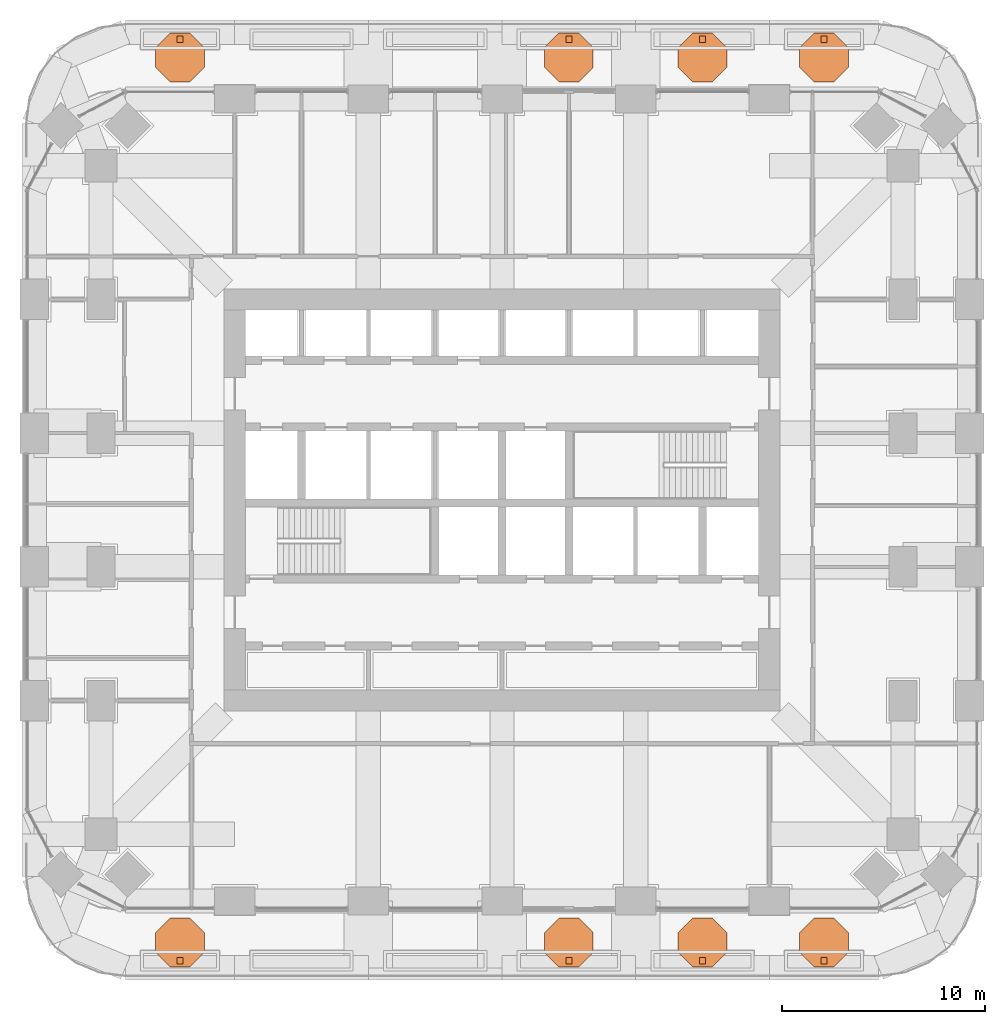
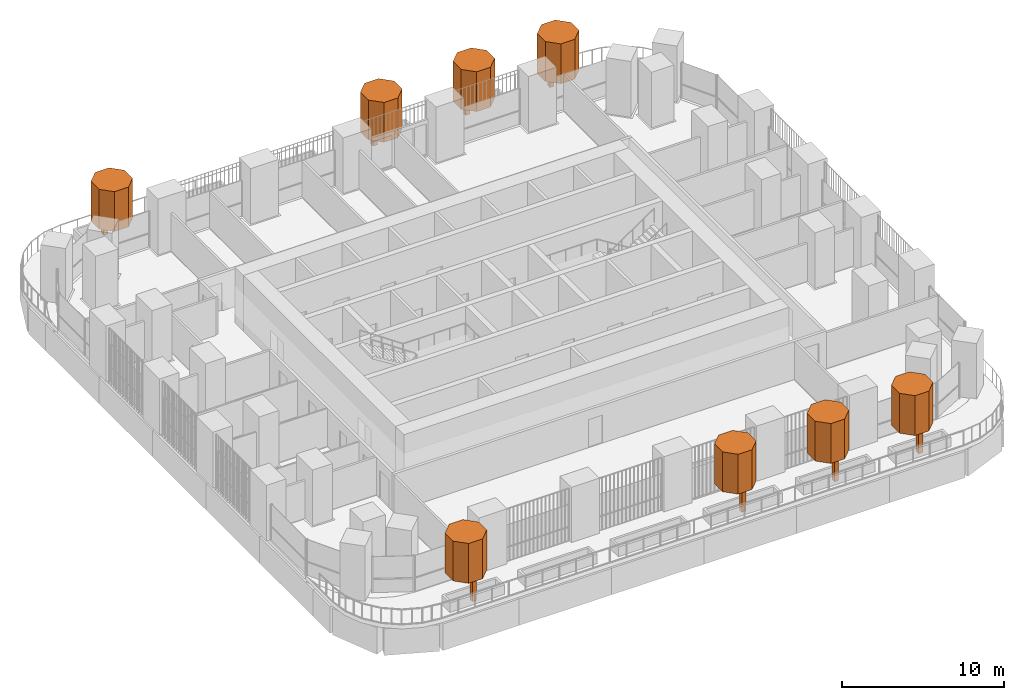
# One storey, part 22 of 22: 16 geographic elements.
"""IFC4 building model written with IfcOpenShell, lengths in metres."""

from ifc_helpers import new_model, si_unit, direction, frame, origin, origin_2d, place, context, subcontext, project, spatial, polyline, rectangle, outline, extrude, material, type_object, element, save


model = new_model("IFC4")

# Units and contexts
model_context = context("Model", 3, precision=1e-05, world=origin(), true_north=direction((0.0, 1.0)))
body_context = subcontext(model_context, "Body", "Model", "MODEL_VIEW")
ifc_project = project(units=[si_unit("LENGTHUNIT", "METRE"), si_unit("AREAUNIT", "SQUARE_METRE"), si_unit("VOLUMEUNIT", "CUBIC_METRE"), si_unit("PLANEANGLEUNIT", "RADIAN"), si_unit("MASSUNIT", "GRAM", prefix="KILO")], contexts=[model_context])

# Site, building, storey
site_placement = place(None, origin())
site = spatial("IfcSite", under=ifc_project, at=site_placement, CompositionType="ELEMENT")
building_placement = place(site_placement, origin())
building = spatial("IfcBuilding", under=site, at=building_placement, Name="Cobogo Forest Laboratory Tower", CompositionType="ELEMENT")
storey_placement = place(building_placement, frame((0.0, 0.0, 155.699951171875)))
storey = spatial("IfcBuildingStorey", under=building, at=storey_placement, Name="L35", CompositionType="ELEMENT", Elevation=155.699951171875)

# Geographic elements
ifc_material = material(Name="Planting", Category="plant")
geographic_element_type_1 = type_object("IfcGeographicElementType", Name="Tree trunk 300", PredefinedType="USERDEFINED", material=ifc_material)
for number, where, z_axis, x_axis, name in (
    (1, (10.5, 0.35009765625, 0.0), (0.0, 0.0, 1.0), (1.0, 0.0, 0.0), "Tree trunk TER-S-PL1 L35"),
    (2, (29.699951171875, 0.35009765625, 0.0), (0.0, 0.0, 1.0), (1.0, 0.0, 0.0), "Tree trunk TER-S-PL4 L35"),
    (3, (36.300048828125, 0.35009765625, 0.0), (0.0, 0.0, 1.0), (1.0, 0.0, 0.0), "Tree trunk TER-S-PL5 L35"),
    (4, (42.300048828125, 0.35009765625, 0.0), (0.0, 0.0, 1.0), (1.0, 0.0, 0.0), "Tree trunk TER-S-PL6 L35"),
    (5, (10.5, 45.85009765625, 0.0), (0.0, 0.0, 1.0), (1.0, 0.0, 0.0), "Tree trunk TER-N-PL1 L35"),
    (6, (29.699951171875, 45.85009765625, 0.0), (0.0, 0.0, 1.0), (1.0, 0.0, 0.0), "Tree trunk TER-N-PL4 L35"),
    (7, (36.300048828125, 45.85009765625, 0.0), (0.0, 0.0, 1.0), (1.0, 0.0, 0.0), "Tree trunk TER-N-PL5 L35"),
    (8, (42.300048828125, 45.85009765625, 0.0), (0.0, 0.0, 1.0), (1.0, 0.0, 0.0), "Tree trunk TER-N-PL6 L35"),
):
    element("IfcGeographicElement", number, at=place(storey_placement, frame(where, z_axis=z_axis, x_axis=x_axis)), inside=storey, type_object=geographic_element_type_1, Name=name, ObjectType="TREE TRUNK", PredefinedType="USERDEFINED", context=body_context, shape_type="SweptSolid", body=[
        extrude(rectangle(XDim=0.300048828125, YDim=0.300048828125, at=origin_2d()), origin(), (0.0, 0.0, 1.0), 1.60009765625),
    ])
geographic_element_type_2 = type_object("IfcGeographicElementType", Name="Tree, olive 4 m", PredefinedType="USERDEFINED", material=ifc_material)
geographic_element_1_placement = place(storey_placement, frame((0.0, 0.0, 1.60009765625)))
element("IfcGeographicElement", 9, at=geographic_element_1_placement, inside=storey, type_object=geographic_element_type_2, Name="Olive tree TER-S-PL1 L35", ObjectType="TREE", PredefinedType="USERDEFINED", context=body_context, shape_type="SweptSolid", body=[
    extrude(outline(polyline([(11.699951171875, 0.7529296875), (11.699951171875, 1.7470703125), (10.9970703125, 2.449951171875), (10.0029296875, 2.449951171875), (9.300048828125, 1.7470703125), (9.300048828125, 0.7529296875), (10.0029296875, 0.050048828125), (10.9970703125, 0.050048828125), (11.699951171875, 0.7529296875)])), origin(), (0.0, 0.0, 1.0), 3.0),
])
geographic_element_2_placement = place(storey_placement, frame((0.0, 0.0, 1.60009765625)))
element("IfcGeographicElement", 10, at=geographic_element_2_placement, inside=storey, type_object=geographic_element_type_2, Name="Olive tree TER-S-PL4 L35", ObjectType="TREE", PredefinedType="USERDEFINED", context=body_context, shape_type="SweptSolid", body=[
    extrude(outline(polyline([(30.89990234375, 0.7529296875), (30.89990234375, 1.7470703125), (30.197021484375, 2.449951171875), (29.202880859375, 2.449951171875), (28.5, 1.7470703125), (28.5, 0.7529296875), (29.202880859375, 0.050048828125), (30.197021484375, 0.050048828125), (30.89990234375, 0.7529296875)])), origin(), (0.0, 0.0, 1.0), 3.0),
])
geographic_element_3_placement = place(storey_placement, frame((0.0, 0.0, 1.60009765625)))
element("IfcGeographicElement", 11, at=geographic_element_3_placement, inside=storey, type_object=geographic_element_type_2, Name="Olive tree TER-S-PL5 L35", ObjectType="TREE", PredefinedType="USERDEFINED", context=body_context, shape_type="SweptSolid", body=[
    extrude(outline(polyline([(37.5, 0.7529296875), (37.5, 1.7470703125), (36.797119140625, 2.449951171875), (35.802978515625, 2.449951171875), (35.10009765625, 1.7470703125), (35.10009765625, 0.7529296875), (35.802978515625, 0.050048828125), (36.797119140625, 0.050048828125), (37.5, 0.7529296875)])), origin(), (0.0, 0.0, 1.0), 3.0),
])
geographic_element_4_placement = place(storey_placement, frame((0.0, 0.0, 1.60009765625)))
element("IfcGeographicElement", 12, at=geographic_element_4_placement, inside=storey, type_object=geographic_element_type_2, Name="Olive tree TER-S-PL6 L35", ObjectType="TREE", PredefinedType="USERDEFINED", context=body_context, shape_type="SweptSolid", body=[
    extrude(outline(polyline([(43.5, 0.7529296875), (43.5, 1.7470703125), (42.797119140625, 2.449951171875), (41.802978515625, 2.449951171875), (41.10009765625, 1.7470703125), (41.10009765625, 0.7529296875), (41.802978515625, 0.050048828125), (42.797119140625, 0.050048828125), (43.5, 0.7529296875)])), origin(), (0.0, 0.0, 1.0), 3.0),
])
geographic_element_5_placement = place(storey_placement, frame((0.0, 0.0, 1.60009765625)))
element("IfcGeographicElement", 13, at=geographic_element_5_placement, inside=storey, type_object=geographic_element_type_2, Name="Olive tree TER-N-PL1 L35", ObjectType="TREE", PredefinedType="USERDEFINED", context=body_context, shape_type="SweptSolid", body=[
    extrude(outline(polyline([(11.699951171875, 44.452880859375), (11.699951171875, 45.447021484375), (10.9970703125, 46.14990234375), (10.0029296875, 46.14990234375), (9.300048828125, 45.447021484375), (9.300048828125, 44.452880859375), (10.0029296875, 43.75), (10.9970703125, 43.75), (11.699951171875, 44.452880859375)])), origin(), (0.0, 0.0, 1.0), 3.0),
])
geographic_element_6_placement = place(storey_placement, frame((0.0, 0.0, 1.60009765625)))
element("IfcGeographicElement", 14, at=geographic_element_6_placement, inside=storey, type_object=geographic_element_type_2, Name="Olive tree TER-N-PL4 L35", ObjectType="TREE", PredefinedType="USERDEFINED", context=body_context, shape_type="SweptSolid", body=[
    extrude(outline(polyline([(30.89990234375, 44.452880859375), (30.89990234375, 45.447021484375), (30.197021484375, 46.14990234375), (29.202880859375, 46.14990234375), (28.5, 45.447021484375), (28.5, 44.452880859375), (29.202880859375, 43.75), (30.197021484375, 43.75), (30.89990234375, 44.452880859375)])), origin(), (0.0, 0.0, 1.0), 3.0),
])
geographic_element_7_placement = place(storey_placement, frame((0.0, 0.0, 1.60009765625)))
element("IfcGeographicElement", 15, at=geographic_element_7_placement, inside=storey, type_object=geographic_element_type_2, Name="Olive tree TER-N-PL5 L35", ObjectType="TREE", PredefinedType="USERDEFINED", context=body_context, shape_type="SweptSolid", body=[
    extrude(outline(polyline([(37.5, 44.452880859375), (37.5, 45.447021484375), (36.797119140625, 46.14990234375), (35.802978515625, 46.14990234375), (35.10009765625, 45.447021484375), (35.10009765625, 44.452880859375), (35.802978515625, 43.75), (36.797119140625, 43.75), (37.5, 44.452880859375)])), origin(), (0.0, 0.0, 1.0), 3.0),
])
geographic_element_8_placement = place(storey_placement, frame((0.0, 0.0, 1.60009765625)))
element("IfcGeographicElement", 16, at=geographic_element_8_placement, inside=storey, type_object=geographic_element_type_2, Name="Olive tree TER-N-PL6 L35", ObjectType="TREE", PredefinedType="USERDEFINED", context=body_context, shape_type="SweptSolid", body=[
    extrude(outline(polyline([(43.5, 44.452880859375), (43.5, 45.447021484375), (42.797119140625, 46.14990234375), (41.802978515625, 46.14990234375), (41.10009765625, 45.447021484375), (41.10009765625, 44.452880859375), (41.802978515625, 43.75), (42.797119140625, 43.75), (43.5, 44.452880859375)])), origin(), (0.0, 0.0, 1.0), 3.0),
])

save(model, "model.ifc")
